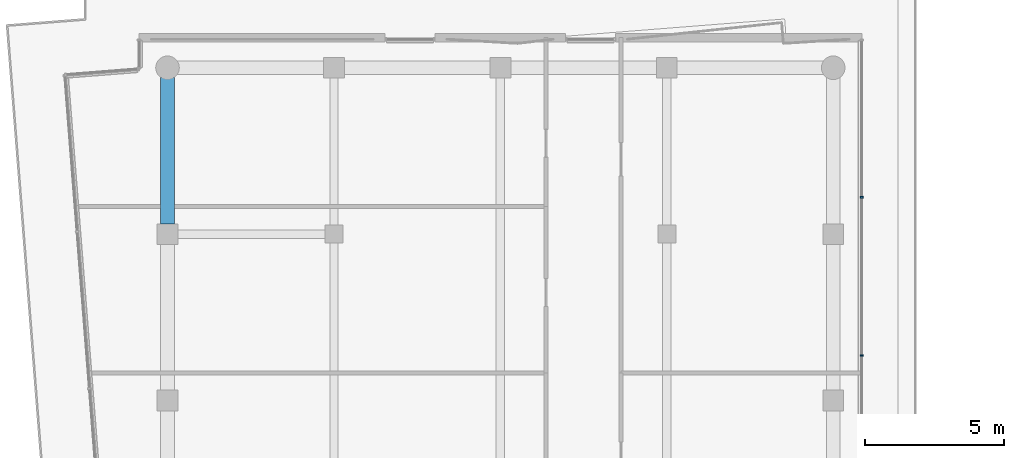
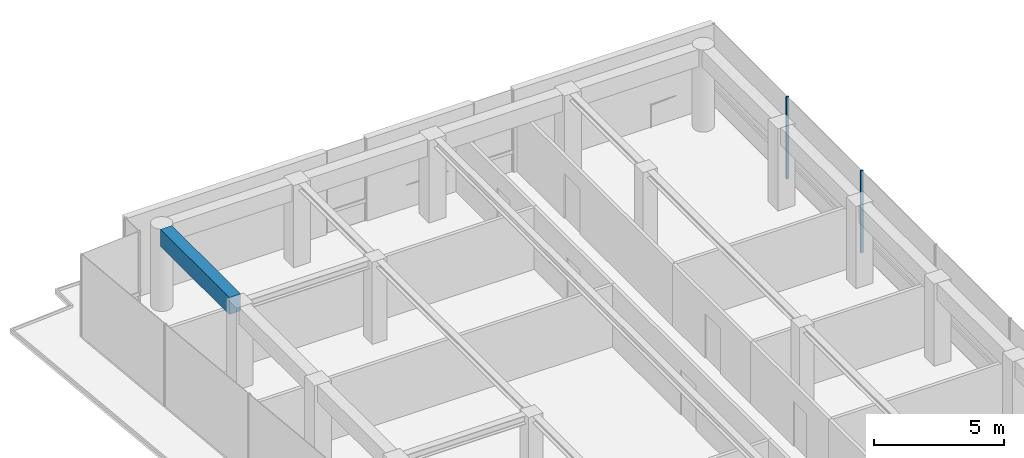
# One storey, part 16 of 23: 2 members, 1 beam, 1 element without a shape of its own.
"""IFC4 building model written with IfcOpenShell, lengths in metres."""

from ifc_helpers import new_model, si_unit, direction, frame, origin, origin_2d, place, context, subcontext, project, spatial, rectangle, extrude, material, layer, layer_set, material_profile, profile_set, type_object, element, aggregate, save


model = new_model("IFC4")

# Units and contexts
model_context = context("Model", 3, precision=1e-05, world=origin(), true_north=direction((0.0, 1.0)))
body_context = subcontext(model_context, "Body", "Model", "MODEL_VIEW")
ifc_project = project(units=[si_unit("LENGTHUNIT", "METRE"), si_unit("AREAUNIT", "SQUARE_METRE"), si_unit("VOLUMEUNIT", "CUBIC_METRE"), si_unit("PLANEANGLEUNIT", "RADIAN"), si_unit("MASSUNIT", "GRAM", prefix="KILO")], contexts=[model_context])

# Site, building, storey
site_placement = place(None, origin())
site = spatial("IfcSite", under=ifc_project, at=site_placement, CompositionType="ELEMENT")
building_placement = place(site_placement, origin())
building = spatial("IfcBuilding", under=site, at=building_placement, Name="Welwitschia Terrace Campus", CompositionType="ELEMENT")
storey_placement = place(building_placement, frame((0.0, 0.0, 306.199951171875)))
storey = spatial("IfcBuildingStorey", under=building, at=storey_placement, Name="L68", CompositionType="ELEMENT", Elevation=306.199951171875)

# Curtain wall, members
ifc_material_1 = material(Name="Bronze anodised aluminium", Category="aluminium")
ifc_layer = layer(ifc_material_1, 0.1201171875)
ifc_layer_set = layer_set([ifc_layer], Name="Bronze anodised aluminium")
curtain_wall_type = type_object("IfcCurtainWallType", Name="Curtain wall CW2 tower 6000", PredefinedType="NOTDEFINED", material=ifc_layer_set)
curtain_wall_placement = place(storey_placement, origin())
curtain_wall = element("IfcCurtainWall", 1, at=curtain_wall_placement, inside=storey, type_object=curtain_wall_type, Name="CW L68.7.0", PredefinedType="NOTDEFINED")
ifc_material_2 = material(Name="Bronze anodised aluminium", Category="aluminium")
ifc_material_profile_1 = material_profile(ifc_material_2, rectangle(XDim=0.1201171875, YDim=0.06005859375, at=origin_2d()))
ifc_profile_set_1 = profile_set([ifc_material_profile_1], Name="Bronze anodised aluminium")
member_type = type_object("IfcMemberType", Name="Mullion 60x120", PredefinedType="MULLION", material=ifc_profile_set_1)
member_1_placement = place(storey_placement, frame((25.030029296875, 51.62744140625, 0.0), z_axis=(0.0, 0.0, 1.0), x_axis=(-1.0, 0.0, 0.0)))
member_1 = element("IfcMember", 2, at=member_1_placement, type_object=member_type, Name="Mullion L68.7.0.4", PredefinedType="MULLION", context=body_context, shape_type="SweptSolid", body=[
    extrude(rectangle(XDim=0.1201171875, YDim=0.06005859375, at=origin_2d()), origin(), (0.0, 0.0, 1.0), 3.85009765625),
])
member_2_placement = place(storey_placement, frame((25.030029296875, 57.328857421875, 0.0), z_axis=(0.0, 0.0, 1.0), x_axis=(-1.0, 0.0, 0.0)))
member_2 = element("IfcMember", 3, at=member_2_placement, type_object=member_type, Name="Mullion L68.7.0.5", PredefinedType="MULLION", context=body_context, shape_type="SweptSolid", body=[
    extrude(rectangle(XDim=0.1201171875, YDim=0.06005859375, at=origin_2d()), origin(), (0.0, 0.0, 1.0), 3.85009765625),
])
aggregate(curtain_wall, [member_1, member_2])

# Beam
ifc_material_3 = material(Name="Concrete C50/60", Category="concrete")
ifc_material_profile_2 = material_profile(ifc_material_3, rectangle(XDim=0.5, YDim=0.800048828125, at=origin_2d()))
ifc_profile_set_2 = profile_set([ifc_material_profile_2], Name="Concrete C50/60")
beam_type = type_object("IfcBeamType", Name="Ring spandrel 500x800", PredefinedType="SPANDREL", material=ifc_profile_set_2)
beam_placement = place(storey_placement, frame((0.0, 61.655517578125, 3.449951171875), z_axis=(0.0, -1.0, 0.0), x_axis=(1.0, 0.0, 0.0)))
element("IfcBeam", 4, at=beam_placement, inside=storey, type_object=beam_type, Name="Spandrel SP4", PredefinedType="SPANDREL", context=body_context, shape_type="SweptSolid", body=[
    extrude(rectangle(XDim=0.5, YDim=0.800048828125, at=origin_2d()), origin(), (0.0, 0.0, 1.0), 5.280029296875),
])

save(model, "model.ifc")
